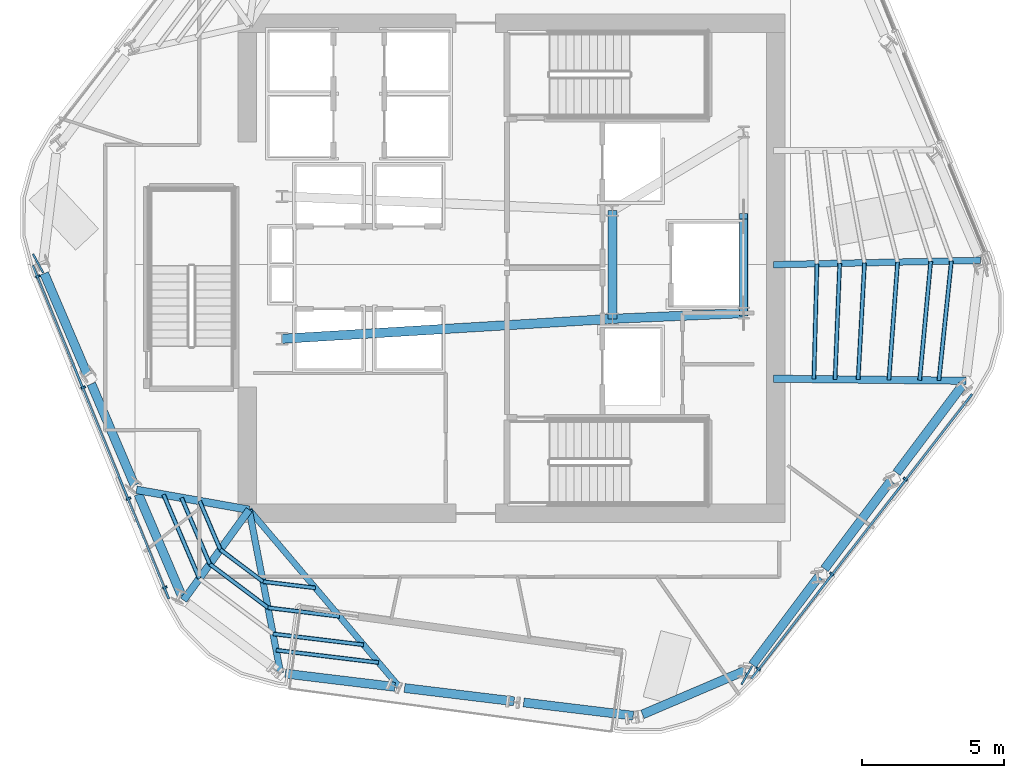
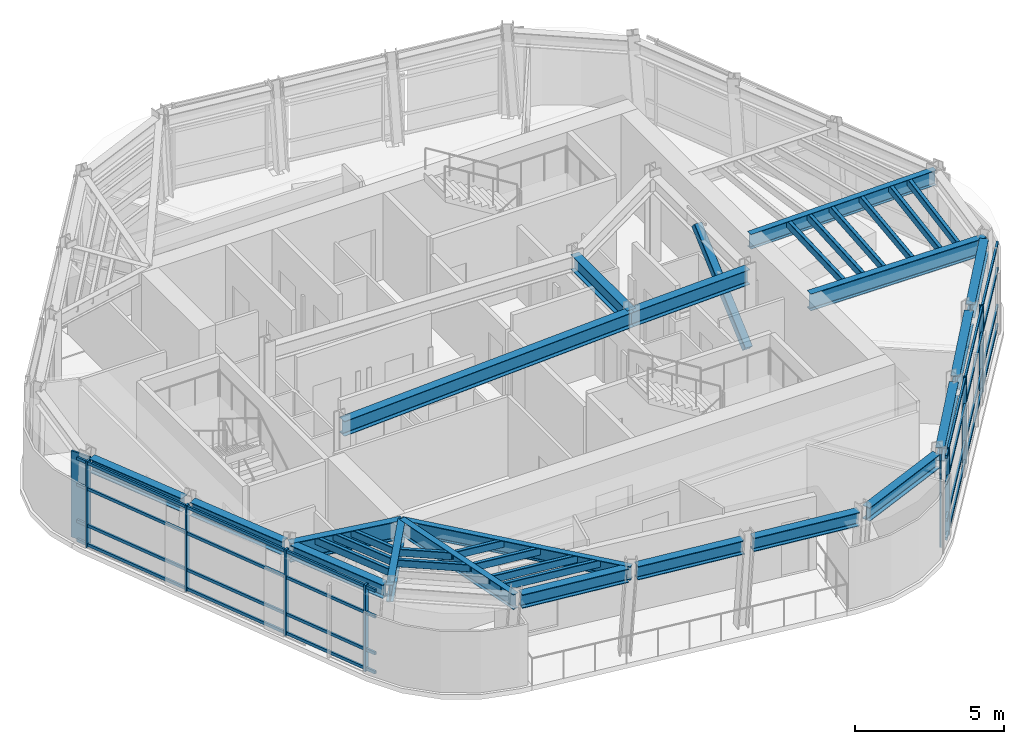
# One storey, part 2 of 12: 33 members, 19 beams, 2 elements without a shape of their own.
"""IFC4 building model written with IfcOpenShell, lengths in metres."""

import ifcopenshell
import ifcopenshell.guid

model = None  # the IFC model being written
_history = None  # IfcOwnerHistory: only IFC2X3 demands one
_inside = {}  # id of a spatial element -> (the spatial element, [elements in it])
_under = {}  # id of a project, library or spatial element -> (it, [spatial elements below it])
_declared = {}  # id of a project -> (the project, [libraries it declares])
_typed = {}  # id of a type object -> (the type object, [elements of that type])
_made_of = {}  # id of a material, layer set ... -> (it, [elements and type objects made of it])


def new_model(schema):
    """Start an empty IFC model of exactly this schema.

    Asked for "IFC4X3", IfcOpenShell would pick the latest addendum, in which some entities
    have other attributes; the version numbers below select the first issue.
    IFC2X3 requires an IfcOwnerHistory on every rooted entity: one is made here for all.
    """
    global model, _history
    if schema == "IFC4X3":
        model = ifcopenshell.file(schema_version=(4, 3, 0, 0))
    else:
        model = ifcopenshell.file(schema=schema)
    _inside.clear()
    _under.clear()
    _declared.clear()
    _typed.clear()
    _made_of.clear()
    _history = None
    if model.schema == "IFC2X3":
        org = make("IfcOrganization", Name="unknown")
        user = make(
            "IfcPersonAndOrganization",
            ThePerson=make("IfcPerson", FamilyName="unknown"),
            TheOrganization=org,
        )
        app = make(
            "IfcApplication",
            ApplicationDeveloper=org,
            Version="unknown",
            ApplicationFullName="unknown",
            ApplicationIdentifier="unknown",
        )
        _history = make(
            "IfcOwnerHistory",
            OwningUser=user,
            OwningApplication=app,
            ChangeAction="ADDED",
            CreationDate=0,
        )
    return model


def make(cls, **values):
    """One entity of the class cls with the attributes given. An attribute that is None is left unset."""
    return model.create_entity(
        cls, **{name: value for name, value in values.items() if value is not None}
    )


def rooted(cls, **values):
    """An entity with a GlobalId (a new one), such as an element, a storey or a relation."""
    return make(cls, GlobalId=ifcopenshell.guid.new(), OwnerHistory=_history, **values)


def si_unit(unit_type, name, prefix=None):
    """IfcSIUnit, for example si_unit("LENGTHUNIT", "METRE", prefix="MILLI")."""
    return make("IfcSIUnit", UnitType=unit_type, Prefix=prefix, Name=name)


def assignment(units):
    """IfcUnitAssignment: the units of a project."""
    return None if units is None else make("IfcUnitAssignment", Units=units)


def point(xyz):
    """IfcCartesianPoint."""
    return None if xyz is None else make("IfcCartesianPoint", Coordinates=xyz)


def direction(xyz):
    """IfcDirection."""
    return None if xyz is None else make("IfcDirection", DirectionRatios=xyz)


def frame(location, z_axis=None, x_axis=None):
    """IfcAxis2Placement3D, a coordinate frame: its origin and axes. An axis left out is left unset."""
    return make(
        "IfcAxis2Placement3D",
        Location=point(location),
        Axis=direction(z_axis),
        RefDirection=direction(x_axis),
    )


def frame_2d(location, x_axis=None):
    """IfcAxis2Placement2D, a coordinate frame in the plane: its origin and x axis."""
    return make(
        "IfcAxis2Placement2D", Location=point(location), RefDirection=direction(x_axis)
    )


def origin():
    """The frame at (0, 0, 0) with its axes left unset."""
    return frame((0.0, 0.0, 0.0))


def origin_2d():
    """The frame at (0, 0) in the plane with its x axis left unset."""
    return frame_2d((0.0, 0.0))


def place(relative_to, where):
    """IfcLocalPlacement: puts the frame where relative to a parent placement (None: the world)."""
    return make(
        "IfcLocalPlacement", PlacementRelTo=relative_to, RelativePlacement=where
    )


def context(
    kind, dimensions, precision=None, world=None, true_north=None, identifier=None
):
    """IfcGeometricRepresentationContext, for example the 3D "Model" context."""
    return make(
        "IfcGeometricRepresentationContext",
        ContextIdentifier=identifier,
        ContextType=kind,
        CoordinateSpaceDimension=dimensions,
        Precision=precision,
        WorldCoordinateSystem=world,
        TrueNorth=true_north,
    )


def subcontext(parent, identifier, kind, view, scale=None):
    """IfcGeometricRepresentationSubContext, for example "Body" below "Model"."""
    return make(
        "IfcGeometricRepresentationSubContext",
        ContextIdentifier=identifier,
        ContextType=kind,
        ParentContext=parent,
        TargetScale=scale,
        TargetView=view,
    )


def project(units=None, contexts=None):
    """IfcProject with its units and contexts."""
    return rooted(
        "IfcProject",
        Name="project",
        RepresentationContexts=contexts,
        UnitsInContext=assignment(units),
    )


def spatial(cls, under=None, at=None, **own):
    """A site, building, storey or space (cls), placed at a placement, below another one or the project."""
    s = rooted(cls, ObjectPlacement=at, **own)
    if under is not None:
        _under.setdefault(under.id(), (under, []))[1].append(s)
    return s


def profile(cls, at=None, kind="AREA", **sizes):
    """A parametric profile (cls). Its sizes go by their IFC names, for example OverallWidth=200.0."""
    return make(cls, ProfileType=kind, Position=at, **sizes)


def rectangle(**sizes):
    """IfcRectangleProfileDef."""
    return profile("IfcRectangleProfileDef", **sizes)


def hollow_rectangle(**sizes):
    """IfcRectangleHollowProfileDef."""
    return profile("IfcRectangleHollowProfileDef", **sizes)


def i_section(**sizes):
    """IfcIShapeProfileDef."""
    return profile("IfcIShapeProfileDef", **sizes)


def extrude(swept, where, along, depth):
    """IfcExtrudedAreaSolid: the profile swept, set in the frame where, extruded along a direction by depth."""
    return make(
        "IfcExtrudedAreaSolid",
        SweptArea=swept,
        Position=where,
        ExtrudedDirection=direction(along),
        Depth=depth,
    )


def shape(context_of_items, identifier, shape_type, items):
    """IfcShapeRepresentation: the items that make up one representation, for example the "Body"."""
    return make(
        "IfcShapeRepresentation",
        ContextOfItems=context_of_items,
        RepresentationIdentifier=identifier,
        RepresentationType=shape_type,
        Items=items,
    )


def material(Name=None, Category=None):
    """IfcMaterial."""
    return make("IfcMaterial", Name=Name, Category=Category)


def layer(
    of_material, thickness, ventilated=None, Name=None, Category=None, Priority=None
):
    """IfcMaterialLayer: one layer of a wall or slab, of a material (None: an air gap)."""
    return make(
        "IfcMaterialLayer",
        Material=of_material,
        LayerThickness=thickness,
        IsVentilated=ventilated,
        Name=Name,
        Category=Category,
        Priority=Priority,
    )


def layer_set(layers, Name=None):
    """IfcMaterialLayerSet."""
    return make("IfcMaterialLayerSet", MaterialLayers=layers, LayerSetName=Name)


def material_profile(
    of_material, cross_section, Name=None, Category=None, Priority=None
):
    """IfcMaterialProfile: a cross section and its material."""
    return make(
        "IfcMaterialProfile",
        Name=Name,
        Material=of_material,
        Profile=cross_section,
        Priority=Priority,
        Category=Category,
    )


def profile_set(profiles, Name=None, composite=None):
    """IfcMaterialProfileSet."""
    return make(
        "IfcMaterialProfileSet",
        Name=Name,
        MaterialProfiles=profiles,
        CompositeProfile=composite,
    )


def made_of(thing, what):
    """Note that an element or type object is made of a material, layer set ...; save() writes the relation."""
    if what is not None:
        _made_of.setdefault(what.id(), (what, []))[1].append(thing)
    return thing


def type_object(cls, material=None, **own):
    """A type object (cls), such as IfcWallType, which elements share."""
    return made_of(rooted(cls, **own), material)


def element(
    cls,
    number,
    at=None,
    inside=None,
    cuts=None,
    type_object=None,
    material=None,
    context=None,
    identifier="Body",
    shape_type=None,
    held_by="IfcProductDefinitionShape",
    body=None,
    shapes=None,
    **own,
):
    """One element of the class cls, such as IfcWall. Its Tag is "e" and its number.

    at: its placement. inside: the storey or other place that contains it. cuts: it is an
    opening in that element (IfcRelVoidsElement). A single representation is given by context,
    identifier, shape_type and body (its items); several are given by shapes. held_by: the class
    of the entity that holds the representations. save() writes the other relations.
    """
    e = rooted(cls, Tag="e%d" % number, ObjectPlacement=at, **own)
    if body is not None:
        shapes = [shape(context, identifier, shape_type, body)]
    if shapes is not None:
        e.Representation = make(held_by, Representations=shapes)
    if inside is not None:
        _inside.setdefault(inside.id(), (inside, []))[1].append(e)
    if cuts is not None:
        rooted(
            "IfcRelVoidsElement", RelatingBuildingElement=cuts, RelatedOpeningElement=e
        )
    if type_object is not None:
        _typed.setdefault(type_object.id(), (type_object, []))[1].append(e)
    return made_of(e, material)


def aggregate(whole, parts):
    """IfcRelAggregates: a whole, such as a stair, and the parts it consists of."""
    return rooted("IfcRelAggregates", RelatingObject=whole, RelatedObjects=parts)


def save(model, path):
    """Write the relations noted so far, then the file.

    IfcRelAggregates (storeys below a building ...), IfcRelContainedInSpatialStructure (elements
    in a storey), IfcRelDefinesByType, IfcRelAssociatesMaterial and IfcRelDeclares: one each for
    every whole, place, type object, material and project.
    """
    for whole, parts in _under.values():
        aggregate(whole, parts)
    for where, things in _inside.values():
        rooted(
            "IfcRelContainedInSpatialStructure",
            RelatedElements=things,
            RelatingStructure=where,
        )
    for kind, things in _typed.values():
        rooted("IfcRelDefinesByType", RelatedObjects=things, RelatingType=kind)
    for what, things in _made_of.values():
        rooted("IfcRelAssociatesMaterial", RelatedObjects=things, RelatingMaterial=what)
    for by, libraries in _declared.values():
        rooted("IfcRelDeclares", RelatingContext=by, RelatedDefinitions=libraries)
    model.write(path)


model = new_model("IFC4")

# Units and contexts
model_context = context("Model", 3, precision=1e-05, world=origin(), true_north=direction((0.0, 1.0)))
body_context = subcontext(model_context, "Body", "Model", "MODEL_VIEW")
ifc_project = project(units=[si_unit("LENGTHUNIT", "METRE"), si_unit("AREAUNIT", "SQUARE_METRE"), si_unit("VOLUMEUNIT", "CUBIC_METRE"), si_unit("PLANEANGLEUNIT", "RADIAN"), si_unit("MASSUNIT", "GRAM", prefix="KILO")], contexts=[model_context])

# Site, building, storey
site_placement = place(None, origin())
site = spatial("IfcSite", under=ifc_project, at=site_placement, CompositionType="ELEMENT")
building_placement = place(site_placement, origin())
building = spatial("IfcBuilding", under=site, at=building_placement, Name="Valkerne Bourse Tower", CompositionType="ELEMENT")
storey_placement = place(building_placement, frame((0.0, 0.0, 247.39990234375)))
storey = spatial("IfcBuildingStorey", under=building, at=storey_placement, Name="L63", CompositionType="ELEMENT", Elevation=247.39990234375)

# Beams
ifc_material_1 = material(Name="Steel ASTM A992", Category="steel")
ifc_material_profile_1 = material_profile(ifc_material_1, i_section(OverallWidth=0.31494140625, OverallDepth=0.5537109375, WebThickness=0.0166015625, FlangeThickness=0.026123046875, FilletRadius=0.020263671875, at=origin_2d()), Name="W21X132")
ifc_profile_set_1 = profile_set([ifc_material_profile_1], Name="Steel ASTM A992")
beam_type_1 = type_object("IfcBeamType", Name="BM-W21X132", PredefinedType="BEAM", material=ifc_profile_set_1)
for number, where, z_axis, x_axis, name in (
    (1, (30.40771484375, 26.69189453125, 3.26318359375), (0.392396720095, -0.919796071996, 0.0), (0.919796071996, 0.392396720095, 0.0), "L63 Hexagonal Spandrel Ring Beam 08"),
    (2, (32.060302734375, 22.817626953125, 3.26318359375), (0.392320616007, -0.919828535248, 0.0), (0.919828535248, 0.392320616007, 0.0), "L63 Hexagonal Spandrel Ring Beam 09"),
    (3, (33.712890625, 18.943359375, 3.26318359375), (0.392320616007, -0.919828535248, 0.0), (0.919828535248, 0.392320616007, 0.0), "L63 Hexagonal Spandrel Ring Beam 10"),
):
    element("IfcBeam", number, at=place(storey_placement, frame(where, z_axis=z_axis, x_axis=x_axis)), inside=storey, type_object=beam_type_1, Name=name, PredefinedType="BEAM", context=body_context, shape_type="SweptSolid", body=[
        extrude(i_section(OverallWidth=0.31494140625, OverallDepth=0.5537109375, WebThickness=0.0166015625, FlangeThickness=0.026123046875, FilletRadius=0.020263671875, at=origin_2d()), origin(), (0.0, 0.0, 1.0), 3.871826171875),
    ])
for number, where, z_axis, x_axis, name in (
    (4, (38.87060546875, 12.64990234375, 3.26318359375), (0.992760006473, -0.120114818186, 0.0), (0.120114818186, 0.992760006473, 0.0), "L63 Hexagonal Spandrel Ring Beam 12"),
    (5, (43.052001953125, 12.143798828125, 3.26318359375), (0.992760006473, -0.120114818186, 0.0), (0.120114818186, 0.992760006473, 0.0), "L63 Hexagonal Spandrel Ring Beam 13"),
):
    element("IfcBeam", number, at=place(storey_placement, frame(where, z_axis=z_axis, x_axis=x_axis)), inside=storey, type_object=beam_type_1, Name=name, PredefinedType="BEAM", context=body_context, shape_type="SweptSolid", body=[
        extrude(i_section(OverallWidth=0.31494140625, OverallDepth=0.5537109375, WebThickness=0.0166015625, FlangeThickness=0.026123046875, FilletRadius=0.020263671875, at=origin_2d()), origin(), (0.0, 0.0, 1.0), 3.8720703125),
    ])
beam_1_placement = place(storey_placement, frame((47.233642578125, 11.637939453125, 3.26318359375), z_axis=(0.992751575177, -0.120184483123, 0.0), x_axis=(0.120184483123, 0.992751575177, 0.0)))
element("IfcBeam", 6, at=beam_1_placement, inside=storey, type_object=beam_type_1, Name="L63 Hexagonal Spandrel Ring Beam 14", PredefinedType="BEAM", context=body_context, shape_type="SweptSolid", body=[
    extrude(i_section(OverallWidth=0.31494140625, OverallDepth=0.5537109375, WebThickness=0.0166015625, FlangeThickness=0.026123046875, FilletRadius=0.020263671875, at=origin_2d()), origin(), (0.0, 0.0, 1.0), 3.871826171875),
])
beam_2_placement = place(storey_placement, frame((51.402587890625, 11.218994140625, 3.26318359375), z_axis=(0.919814471859, 0.392353587162, 0.0), x_axis=(-0.392353587162, 0.919814471859, 0.0)))
element("IfcBeam", 7, at=beam_2_placement, inside=storey, type_object=beam_type_1, Name="L63 Hexagonal Spandrel Ring Beam 15", PredefinedType="BEAM", context=body_context, shape_type="SweptSolid", body=[
    extrude(i_section(OverallWidth=0.31494140625, OverallDepth=0.5537109375, WebThickness=0.0166015625, FlangeThickness=0.026123046875, FilletRadius=0.020263671875, at=origin_2d()), origin(), (0.0, 0.0, 1.0), 3.915771484375),
])
beam_3_placement = place(storey_placement, frame((55.2626953125, 12.9580078125, 3.26318359375), z_axis=(0.600463977054, 0.799651806889, 0.0), x_axis=(-0.799651806889, 0.600463977054, 0.0)))
element("IfcBeam", 8, at=beam_3_placement, inside=storey, type_object=beam_type_1, Name="L63 Hexagonal Spandrel Ring Beam 16", PredefinedType="BEAM", context=body_context, shape_type="SweptSolid", body=[
    extrude(i_section(OverallWidth=0.31494140625, OverallDepth=0.5537109375, WebThickness=0.0166015625, FlangeThickness=0.026123046875, FilletRadius=0.020263671875, at=origin_2d()), origin(), (0.0, 0.0, 1.0), 3.871826171875),
])
for number, where, z_axis, x_axis, name in (
    (9, (57.791748046875, 16.326171875, 3.26318359375), (0.600433701972, 0.799674539757, 0.0), (-0.799674539757, 0.600433701972, 0.0), "L63 Hexagonal Spandrel Ring Beam 17"),
    (10, (60.32080078125, 19.6943359375, 3.26318359375), (0.600363106785, 0.799727541111, 0.0), (-0.799727541111, 0.600363106785, 0.0), "L63 Hexagonal Spandrel Ring Beam 18"),
):
    element("IfcBeam", number, at=place(storey_placement, frame(where, z_axis=z_axis, x_axis=x_axis)), inside=storey, type_object=beam_type_1, Name=name, PredefinedType="BEAM", context=body_context, shape_type="SweptSolid", body=[
        extrude(i_section(OverallWidth=0.31494140625, OverallDepth=0.5537109375, WebThickness=0.0166015625, FlangeThickness=0.026123046875, FilletRadius=0.020263671875, at=origin_2d()), origin(), (0.0, 0.0, 1.0), 3.8720703125),
    ])
ifc_material_profile_2 = material_profile(ifc_material_1, i_section(OverallWidth=0.2138671875, OverallDepth=0.548583984375, WebThickness=0.0146484375, FlangeThickness=0.023681640625, FilletRadius=0.017822265625, at=origin_2d()), Name="W21X93")
ifc_profile_set_2 = profile_set([ifc_material_profile_2], Name="Steel ASTM A992")
beam_type_2 = type_object("IfcBeamType", Name="BM-W21X93", PredefinedType="BEAM", material=ifc_profile_set_2)
beam_4_placement = place(storey_placement, frame((42.88330078125, 12.164306640625, 3.265869140625), z_axis=(-0.646436234936, 0.762968016474, 0.0), x_axis=(-0.762968016474, -0.646436234936, 0.0)))
element("IfcBeam", 11, at=beam_4_placement, inside=storey, type_object=beam_type_2, Name="L63 Radial Composite Floor Beam 13", PredefinedType="BEAM", context=body_context, shape_type="SweptSolid", body=[
    extrude(i_section(OverallWidth=0.2138671875, OverallDepth=0.548583984375, WebThickness=0.0146484375, FlangeThickness=0.023681640625, FilletRadius=0.017822265625, at=origin_2d()), origin(), (0.0, 0.0, 1.0), 8.1728515625),
])
ifc_material_profile_3 = material_profile(ifc_material_1, i_section(OverallWidth=0.3251953125, OverallDepth=0.612060546875, WebThickness=0.0126953125, FlangeThickness=0.01904296875, FilletRadius=0.020263671875, at=origin_2d()), Name="W24X104")
ifc_profile_set_3 = profile_set([ifc_material_profile_3], Name="Steel ASTM A992")
beam_type_3 = type_object("IfcBeamType", Name="BM-W24X104", PredefinedType="BEAM", material=ifc_profile_set_3)
beam_5_placement = place(storey_placement, frame((50.35009765625, 25.10009765625, 3.23388671875), z_axis=(0.0, 1.0, 0.0), x_axis=(-1.0, 0.0, 0.0)))
element("IfcBeam", 12, at=beam_5_placement, inside=storey, type_object=beam_type_3, Name="L63 Core Frame Girder CG-CE", PredefinedType="BEAM", context=body_context, shape_type="SweptSolid", body=[
    extrude(i_section(OverallWidth=0.3251953125, OverallDepth=0.612060546875, WebThickness=0.0126953125, FlangeThickness=0.01904296875, FilletRadius=0.020263671875, at=origin_2d()), origin(), (0.0, 0.0, 1.0), 3.7998046875),
])
beam_6_placement = place(storey_placement, frame((50.35009765625, 25.10009765625, 3.23388671875), z_axis=(0.999056558506, 0.043428019819, 0.0), x_axis=(-0.043428019819, 0.999056558506, 0.0)))
element("IfcBeam", 13, at=beam_6_placement, inside=storey, type_object=beam_type_3, Name="L63 Core Frame Girder CG-SE", PredefinedType="BEAM", context=body_context, shape_type="SweptSolid", body=[
    extrude(i_section(OverallWidth=0.3251953125, OverallDepth=0.612060546875, WebThickness=0.0126953125, FlangeThickness=0.01904296875, FilletRadius=0.020263671875, at=origin_2d()), origin(), (0.0, 0.0, 1.0), 4.604248046875),
])
beam_7_placement = place(storey_placement, frame((38.75, 24.39990234375, 3.23388671875), z_axis=(0.998183228389, 0.060251494276, 0.0), x_axis=(-0.060251494276, 0.998183228389, 0.0)))
element("IfcBeam", 14, at=beam_7_placement, inside=storey, type_object=beam_type_3, Name="L63 Core Frame Girder CG-SW", PredefinedType="BEAM", context=body_context, shape_type="SweptSolid", body=[
    extrude(i_section(OverallWidth=0.3251953125, OverallDepth=0.612060546875, WebThickness=0.0126953125, FlangeThickness=0.01904296875, FilletRadius=0.020263671875, at=origin_2d()), origin(), (0.0, 0.0, 1.0), 11.62109375),
])
ifc_material_profile_4 = material_profile(ifc_material_1, i_section(OverallWidth=0.228271484375, OverallDepth=0.607177734375, WebThickness=0.01123046875, FlangeThickness=0.017333984375, FilletRadius=0.017822265625, at=origin_2d()), Name="W24X76")
ifc_profile_set_4 = profile_set([ifc_material_profile_4], Name="Steel ASTM A992")
beam_type_4 = type_object("IfcBeamType", Name="BM-W24X76", PredefinedType="JOIST", material=ifc_profile_set_4)
beam_8_placement = place(storey_placement, frame((38.701904296875, 12.67041015625, 3.236572265625), z_axis=(-0.188844289634, 0.982007043902, 0.0), x_axis=(-0.982007043902, -0.188844289634, 0.0)))
element("IfcBeam", 15, at=beam_8_placement, inside=storey, type_object=beam_type_4, Name="L63 Radial Composite Floor Beam 12", PredefinedType="JOIST", context=body_context, shape_type="SweptSolid", body=[
    extrude(i_section(OverallWidth=0.228271484375, OverallDepth=0.607177734375, WebThickness=0.01123046875, FlangeThickness=0.017333984375, FilletRadius=0.017822265625, at=origin_2d()), origin(), (0.0, 0.0, 1.0), 5.83447265625),
])
beam_9_placement = place(storey_placement, frame((63.2587890625, 27.151611328125, 3.236572265625), z_axis=(-0.999781946587, -0.020882032451, 0.0), x_axis=(0.020882032451, -0.999781946587, 0.0)))
element("IfcBeam", 16, at=beam_9_placement, inside=storey, type_object=beam_type_4, Name="L63 Radial Composite Floor Beam 20", PredefinedType="JOIST", context=body_context, shape_type="SweptSolid", body=[
    extrude(i_section(OverallWidth=0.228271484375, OverallDepth=0.607177734375, WebThickness=0.01123046875, FlangeThickness=0.017333984375, FilletRadius=0.017822265625, at=origin_2d()), origin(), (0.0, 0.0, 1.0), 7.26025390625),
])
ifc_material_profile_5 = material_profile(ifc_material_1, i_section(OverallWidth=0.255859375, OverallDepth=0.693359375, WebThickness=0.014404296875, FlangeThickness=0.023681640625, FilletRadius=0.02294921875, at=origin_2d()), Name="W27X114")
ifc_profile_set_5 = profile_set([ifc_material_profile_5], Name="Steel ASTM A992")
beam_type_5 = type_object("IfcBeamType", Name="BM-W27X114", PredefinedType="BEAM", material=ifc_profile_set_5)
beam_10_placement = place(storey_placement, frame((35.298583984375, 15.2255859375, 3.193359375), z_axis=(0.586990018948, 0.809594168491, 0.0), x_axis=(-0.809594168491, 0.586990018948, 0.0)))
element("IfcBeam", 17, at=beam_10_placement, inside=storey, type_object=beam_type_5, Name="L63 Radial Composite Floor Beam 11", PredefinedType="BEAM", context=body_context, shape_type="SweptSolid", body=[
    extrude(i_section(OverallWidth=0.255859375, OverallDepth=0.693359375, WebThickness=0.014404296875, FlangeThickness=0.023681640625, FilletRadius=0.02294921875, at=origin_2d()), origin(), (0.0, 0.0, 1.0), 3.9208984375),
])
beam_11_placement = place(storey_placement, frame((62.747802734375, 22.9267578125, 3.193359375), z_axis=(-0.999941098075, 0.010853588387, 0.0), x_axis=(-0.010853588387, -0.999941098075, 0.0)))
element("IfcBeam", 18, at=beam_11_placement, inside=storey, type_object=beam_type_5, Name="L63 Radial Composite Floor Beam 19", PredefinedType="BEAM", context=body_context, shape_type="SweptSolid", body=[
    extrude(i_section(OverallWidth=0.255859375, OverallDepth=0.693359375, WebThickness=0.014404296875, FlangeThickness=0.023681640625, FilletRadius=0.02294921875, at=origin_2d()), origin(), (0.0, 0.0, 1.0), 6.748291015625),
])
ifc_material_profile_6 = material_profile(ifc_material_1, i_section(OverallWidth=0.26806640625, OverallDepth=0.76953125, WebThickness=0.015625, FlangeThickness=0.025390625, FilletRadius=0.025390625, at=origin_2d()), Name="W30X132")
ifc_profile_set_6 = profile_set([ifc_material_profile_6], Name="Steel ASTM A992")
beam_type_6 = type_object("IfcBeamType", Name="BM-W30X132", PredefinedType="BEAM", material=ifc_profile_set_6)
beam_12_placement = place(storey_placement, frame((33.64599609375, 19.099853515625, 3.1552734375), z_axis=(0.984690997817, -0.174309032523, 0.0), x_axis=(0.174309032523, 0.984690997817, 0.0)))
element("IfcBeam", 19, at=beam_12_placement, inside=storey, type_object=beam_type_6, Name="L63 Radial Composite Floor Beam 10", PredefinedType="BEAM", context=body_context, shape_type="SweptSolid", body=[
    extrude(i_section(OverallWidth=0.26806640625, OverallDepth=0.76953125, WebThickness=0.015625, FlangeThickness=0.025390625, FilletRadius=0.025390625, at=origin_2d()), origin(), (0.0, 0.0, 1.0), 4.015625),
])

# Curtain wall, members
ifc_material_2 = material(Name="Aluminium AA 6063-T6", Category="aluminium")
ifc_layer = layer(ifc_material_2, 0.239990234375)
ifc_layer_set = layer_set([ifc_layer], Name="Aluminium AA 6063-T6")
curtain_wall_type = type_object("IfcCurtainWallType", Name="CW-04", PredefinedType="NOTDEFINED", material=ifc_layer_set)
curtain_wall_1_placement = place(storey_placement, origin())
curtain_wall_1 = element("IfcCurtainWall", 20, at=curtain_wall_1_placement, inside=storey, type_object=curtain_wall_type, Name="L63 Hexagonal Stick Curtain Wall Face 3", PredefinedType="NOTDEFINED")
ifc_material_profile_7 = material_profile(ifc_material_2, rectangle(XDim=0.074951171875, YDim=0.159912109375, at=origin_2d()), Name="CWM-75X160")
ifc_profile_set_7 = profile_set([ifc_material_profile_7], Name="Aluminium AA 6063-T6")
member_type_1 = type_object("IfcMemberType", Name="CW-MUL-160X75", PredefinedType="MULLION", material=ifc_profile_set_7)
member_1_placement = place(storey_placement, frame((30.1845703125, 26.589599609375, 0.0), z_axis=(0.0, 0.0, 1.0), x_axis=(0.377853386726, -0.925865442783, 0.0)))
member_1 = element("IfcMember", 21, at=member_1_placement, type_object=member_type_1, Name="CW-L63-F3 Jamb Mullion 00A", PredefinedType="MULLION", context=body_context, shape_type="SweptSolid", body=[
    extrude(rectangle(XDim=0.074951171875, YDim=0.159912109375, at=origin_2d()), origin(), (0.0, 0.0, 1.0), 3.5400390625),
])
member_2_placement = place(storey_placement, frame((31.776123046875, 22.68994140625, 0.0), z_axis=(0.0, 0.0, 1.0), x_axis=(0.377845080973, -0.925868832387, 0.0)))
member_2 = element("IfcMember", 22, at=member_2_placement, type_object=member_type_1, Name="CW-L63-F3 Jamb Mullion 01A", PredefinedType="MULLION", context=body_context, shape_type="SweptSolid", body=[
    extrude(rectangle(XDim=0.074951171875, YDim=0.159912109375, at=origin_2d()), origin(), (0.0, 0.0, 1.0), 3.5400390625),
])
member_3_placement = place(storey_placement, frame((33.36767578125, 18.7900390625, 0.0), z_axis=(0.0, 0.0, 1.0), x_axis=(0.377824728737, -0.925877137829, 0.0)))
member_3 = element("IfcMember", 23, at=member_3_placement, type_object=member_type_1, Name="CW-L63-F3 Jamb Mullion 02A", PredefinedType="MULLION", context=body_context, shape_type="SweptSolid", body=[
    extrude(rectangle(XDim=0.074951171875, YDim=0.159912109375, at=origin_2d()), origin(), (0.0, 0.0, 1.0), 3.5400390625),
])
member_4_placement = place(storey_placement, frame((34.6416015625, 15.66796875, 0.0), z_axis=(0.0, 0.0, 1.0), x_axis=(0.377824728737, -0.925877137829, 0.0)))
member_4 = element("IfcMember", 24, at=member_4_placement, type_object=member_type_1, Name="CW-L63-F3 Jamb Mullion 02B", PredefinedType="MULLION", context=body_context, shape_type="SweptSolid", body=[
    extrude(rectangle(XDim=0.074951171875, YDim=0.159912109375, at=origin_2d()), origin(), (0.0, 0.0, 1.0), 3.5400390625),
])

curtain_wall_2_placement = place(storey_placement, origin())
curtain_wall_2 = element("IfcCurtainWall", 25, at=curtain_wall_2_placement, inside=storey, type_object=curtain_wall_type, Name="L63 Hexagonal Stick Curtain Wall Face 5", PredefinedType="NOTDEFINED")
member_5_placement = place(storey_placement, frame((55.463134765625, 12.81591796875, 0.0), z_axis=(0.0, 0.0, 1.0), x_axis=(0.612916098506, 0.790147996385, 0.0)))
member_5 = element("IfcMember", 26, at=member_5_placement, type_object=member_type_1, Name="CW-L63-F5 Jamb Mullion 00A", PredefinedType="MULLION", context=body_context, shape_type="SweptSolid", body=[
    extrude(rectangle(XDim=0.074951171875, YDim=0.159912109375, at=origin_2d()), origin(), (0.0, 0.0, 1.0), 3.5400390625),
])
member_6_placement = place(storey_placement, frame((58.044677734375, 16.14404296875, 0.0), z_axis=(0.0, 0.0, 1.0), x_axis=(0.612901275427, 0.790159494394, 0.0)))
member_6 = element("IfcMember", 27, at=member_6_placement, type_object=member_type_1, Name="CW-L63-F5 Jamb Mullion 01A", PredefinedType="MULLION", context=body_context, shape_type="SweptSolid", body=[
    extrude(rectangle(XDim=0.074951171875, YDim=0.159912109375, at=origin_2d()), origin(), (0.0, 0.0, 1.0), 3.5400390625),
])
member_7_placement = place(storey_placement, frame((60.626220703125, 19.47216796875, 0.0), z_axis=(0.0, 0.0, 1.0), x_axis=(0.612904600679, 0.790156915091, 0.0)))
member_7 = element("IfcMember", 28, at=member_7_placement, type_object=member_type_1, Name="CW-L63-F5 Jamb Mullion 02A", PredefinedType="MULLION", context=body_context, shape_type="SweptSolid", body=[
    extrude(rectangle(XDim=0.074951171875, YDim=0.159912109375, at=origin_2d()), origin(), (0.0, 0.0, 1.0), 3.5400390625),
])

# Member
ifc_material_profile_8 = material_profile(ifc_material_2, rectangle(XDim=0.074951171875, YDim=0.1201171875, at=origin_2d()), Name="CWT-75X120")
ifc_profile_set_8 = profile_set([ifc_material_profile_8], Name="Aluminium AA 6063-T6")
member_type_2 = type_object("IfcMemberType", Name="CW-TRN-120X75", PredefinedType="USERDEFINED", material=ifc_profile_set_8)
member_8_placement = place(storey_placement, frame((30.00732421875, 26.970947265625, 0.1201171875), z_axis=(0.377837509837, -0.925871922115, 0.0), x_axis=(0.925871922115, 0.377837509837, 0.0)))
member_8 = element("IfcMember", 29, at=member_8_placement, type_object=member_type_2, Name="CW-L63-F3 Continuous Face Transom 1", ObjectType="TRANSOM", PredefinedType="USERDEFINED", context=body_context, shape_type="SweptSolid", body=[
    extrude(rectangle(XDim=0.074951171875, YDim=0.1201171875, at=origin_2d()), origin(), (0.0, 0.0, 1.0), 12.63623046875),
])

member_9_placement = place(storey_placement, frame((30.00732421875, 26.970947265625, 0.900146484375), z_axis=(0.377837509837, -0.925871922115, 0.0), x_axis=(0.925871922115, 0.377837509837, 0.0)))
member_9 = element("IfcMember", 30, at=member_9_placement, type_object=member_type_2, Name="CW-L63-F3 Continuous Face Transom 2", ObjectType="TRANSOM", PredefinedType="USERDEFINED", context=body_context, shape_type="SweptSolid", body=[
    extrude(rectangle(XDim=0.074951171875, YDim=0.1201171875, at=origin_2d()), origin(), (0.0, 0.0, 1.0), 12.63623046875),
])

member_10_placement = place(storey_placement, frame((30.00732421875, 26.970947265625, 2.400146484375), z_axis=(0.377837509837, -0.925871922115, 0.0), x_axis=(0.925871922115, 0.377837509837, 0.0)))
member_10 = element("IfcMember", 31, at=member_10_placement, type_object=member_type_2, Name="CW-L63-F3 Continuous Face Transom 3", ObjectType="TRANSOM", PredefinedType="USERDEFINED", context=body_context, shape_type="SweptSolid", body=[
    extrude(rectangle(XDim=0.074951171875, YDim=0.1201171875, at=origin_2d()), origin(), (0.0, 0.0, 1.0), 12.63623046875),
])

member_11_placement = place(storey_placement, frame((30.00732421875, 26.970947265625, 3.460205078125), z_axis=(0.377837509837, -0.925871922115, 0.0), x_axis=(0.925871922115, 0.377837509837, 0.0)))
member_11 = element("IfcMember", 32, at=member_11_placement, type_object=member_type_2, Name="CW-L63-F3 Continuous Face Transom 4", ObjectType="TRANSOM", PredefinedType="USERDEFINED", context=body_context, shape_type="SweptSolid", body=[
    extrude(rectangle(XDim=0.074951171875, YDim=0.1201171875, at=origin_2d()), origin(), (0.0, 0.0, 1.0), 12.63623046875),
])

aggregate(curtain_wall_1, [member_8, member_9, member_10, member_11, member_1, member_2, member_3, member_4])

member_12_placement = place(storey_placement, frame((55.221435546875, 12.4716796875, 0.1201171875), z_axis=(0.61290747629, 0.790154684545, 0.0), x_axis=(-0.790154684545, 0.61290747629, 0.0)))
member_12 = element("IfcMember", 33, at=member_12_placement, type_object=member_type_2, Name="CW-L63-F5 Continuous Face Transom 1", ObjectType="TRANSOM", PredefinedType="USERDEFINED", context=body_context, shape_type="SweptSolid", body=[
    extrude(rectangle(XDim=0.074951171875, YDim=0.1201171875, at=origin_2d()), origin(), (0.0, 0.0, 1.0), 12.63623046875),
])

member_13_placement = place(storey_placement, frame((55.221435546875, 12.4716796875, 0.900146484375), z_axis=(0.61290747629, 0.790154684545, 0.0), x_axis=(-0.790154684545, 0.61290747629, 0.0)))
member_13 = element("IfcMember", 34, at=member_13_placement, type_object=member_type_2, Name="CW-L63-F5 Continuous Face Transom 2", ObjectType="TRANSOM", PredefinedType="USERDEFINED", context=body_context, shape_type="SweptSolid", body=[
    extrude(rectangle(XDim=0.074951171875, YDim=0.1201171875, at=origin_2d()), origin(), (0.0, 0.0, 1.0), 12.63623046875),
])

member_14_placement = place(storey_placement, frame((55.221435546875, 12.4716796875, 2.400146484375), z_axis=(0.61290747629, 0.790154684545, 0.0), x_axis=(-0.790154684545, 0.61290747629, 0.0)))
member_14 = element("IfcMember", 35, at=member_14_placement, type_object=member_type_2, Name="CW-L63-F5 Continuous Face Transom 3", ObjectType="TRANSOM", PredefinedType="USERDEFINED", context=body_context, shape_type="SweptSolid", body=[
    extrude(rectangle(XDim=0.074951171875, YDim=0.1201171875, at=origin_2d()), origin(), (0.0, 0.0, 1.0), 12.63623046875),
])

member_15_placement = place(storey_placement, frame((55.221435546875, 12.4716796875, 3.460205078125), z_axis=(0.61290747629, 0.790154684545, 0.0), x_axis=(-0.790154684545, 0.61290747629, 0.0)))
member_15 = element("IfcMember", 36, at=member_15_placement, type_object=member_type_2, Name="CW-L63-F5 Continuous Face Transom 4", ObjectType="TRANSOM", PredefinedType="USERDEFINED", context=body_context, shape_type="SweptSolid", body=[
    extrude(rectangle(XDim=0.074951171875, YDim=0.1201171875, at=origin_2d()), origin(), (0.0, 0.0, 1.0), 12.63623046875),
])

aggregate(curtain_wall_2, [member_12, member_13, member_14, member_15, member_5, member_6, member_7])

# Members
ifc_material_3 = material(Name="Bronze Anodised Aluminium AA 6063-T6", Category="aluminium")
ifc_material_profile_9 = material_profile(ifc_material_3, rectangle(XDim=0.06494140625, YDim=0.75, at=origin_2d()), Name="FIN-65X750")
ifc_profile_set_9 = profile_set([ifc_material_profile_9], Name="Bronze Anodised Aluminium AA 6063-T6")
member_type_3 = type_object("IfcMemberType", Name="FIN-SOLAR-650", PredefinedType="USERDEFINED", material=ifc_profile_set_9)
for number, where, z_axis, x_axis, name in (
    (37, (30.192626953125, 27.04638671875, 0.004150390625), (0.0, 0.0, 1.0), (-0.878888591018, -0.477027089983, 0.0), "L63 Bronze Anodised Solar Fin F3-00"),
    (38, (55.0634765625, 12.59423828125, 0.004150390625), (0.0, 0.0, 1.0), (0.865027079596, -0.501725175336, 0.0), "L63 Bronze Anodised Solar Fin F5-00"),
):
    element("IfcMember", number, at=place(storey_placement, frame(where, z_axis=z_axis, x_axis=x_axis)), inside=storey, type_object=member_type_3, Name=name, ObjectType="SOLAR_FIN", PredefinedType="USERDEFINED", context=body_context, shape_type="SweptSolid", body=[
        extrude(rectangle(XDim=0.06494140625, YDim=0.75, at=origin_2d()), origin(), (0.0, 0.0, 1.0), 3.531982421875),
    ])
ifc_material_4 = material(Name="Steel ASTM A500 Grade C", Category="steel")
ifc_material_profile_10 = material_profile(ifc_material_4, hollow_rectangle(XDim=0.14990234375, YDim=0.300048828125, WallThickness=0.012451171875, OuterFilletRadius=0.02490234375, at=origin_2d()), Name="HSS300X150X12.5")
ifc_profile_set_10 = profile_set([ifc_material_profile_10], Name="Steel ASTM A500 Grade C")
member_type_4 = type_object("IfcMemberType", Name="MBR-HSS300X150X12.5", PredefinedType="PURLIN", material=ifc_profile_set_10)
member_16_placement = place(storey_placement, frame((58.1591796875, 22.9765625, 3.380126953125), z_axis=(0.040137902769, 0.999194149683, 0.0), x_axis=(-0.999194149683, 0.040137902769, 0.0)))
element("IfcMember", 39, at=member_16_placement, inside=storey, type_object=member_type_4, Name="L63 Secondary Composite Floor Purlin I-19", PredefinedType="PURLIN", context=body_context, shape_type="SweptSolid", body=[
    extrude(hollow_rectangle(XDim=0.14990234375, YDim=0.300048828125, WallThickness=0.012451171875, OuterFilletRadius=0.02490234375, at=origin_2d()), origin(), (0.0, 0.0, 1.0), 4.0751953125),
])
member_17_placement = place(storey_placement, frame((35.8603515625, 18.7080078125, 3.380126953125), z_axis=(0.392281178201, -0.919845355062, 0.0), x_axis=(0.919845355062, 0.392281178201, 0.0)))
element("IfcMember", 40, at=member_17_placement, inside=storey, type_object=member_type_4, Name="L63 Secondary Composite Floor Purlin K-10", PredefinedType="PURLIN", context=body_context, shape_type="SweptSolid", body=[
    extrude(hollow_rectangle(XDim=0.14990234375, YDim=0.300048828125, WallThickness=0.012451171875, OuterFilletRadius=0.02490234375, at=origin_2d()), origin(), (0.0, 0.0, 1.0), 1.853271484375),
])
member_18_placement = place(storey_placement, frame((36.58740234375, 17.003173828125, 3.380126953125), z_axis=(0.799671301583, -0.60043801464, 0.0), x_axis=(0.60043801464, 0.799671301583, 0.0)))
element("IfcMember", 41, at=member_18_placement, inside=storey, type_object=member_type_4, Name="L63 Secondary Composite Floor Purlin K-11", PredefinedType="PURLIN", context=body_context, shape_type="SweptSolid", body=[
    extrude(hollow_rectangle(XDim=0.14990234375, YDim=0.300048828125, WallThickness=0.012451171875, OuterFilletRadius=0.02490234375, at=origin_2d()), origin(), (0.0, 0.0, 1.0), 1.872314453125),
])
member_19_placement = place(storey_placement, frame((38.084716796875, 15.87890625, 3.380126953125), z_axis=(0.992758554936, -0.120126814661, 0.0), x_axis=(0.120126814661, 0.992758554936, 0.0)))
element("IfcMember", 42, at=member_19_placement, inside=storey, type_object=member_type_4, Name="L63 Secondary Composite Floor Purlin K-12", PredefinedType="PURLIN", context=body_context, shape_type="SweptSolid", body=[
    extrude(hollow_rectangle(XDim=0.14990234375, YDim=0.300048828125, WallThickness=0.012451171875, OuterFilletRadius=0.02490234375, at=origin_2d()), origin(), (0.0, 0.0, 1.0), 1.853515625),
])
member_20_placement = place(storey_placement, frame((58.968994140625, 22.9677734375, 3.380126953125), z_axis=(0.054774991014, 0.998498723264, 0.0), x_axis=(-0.998498723264, 0.054774991014, 0.0)))
element("IfcMember", 43, at=member_20_placement, inside=storey, type_object=member_type_4, Name="L63 Secondary Composite Floor Purlin K-19", PredefinedType="PURLIN", context=body_context, shape_type="SweptSolid", body=[
    extrude(hollow_rectangle(XDim=0.14990234375, YDim=0.300048828125, WallThickness=0.012451171875, OuterFilletRadius=0.02490234375, at=origin_2d()), origin(), (0.0, 0.0, 1.0), 4.10498046875),
])
member_21_placement = place(storey_placement, frame((34.594970703125, 18.931884765625, 3.380126953125), z_axis=(0.392372445791, -0.919806427344, 0.0), x_axis=(0.919806427344, 0.392372445791, 0.0)))
element("IfcMember", 44, at=member_21_placement, inside=storey, type_object=member_type_4, Name="L63 Secondary Composite Floor Purlin O-10", PredefinedType="PURLIN", context=body_context, shape_type="SweptSolid", body=[
    extrude(hollow_rectangle(XDim=0.14990234375, YDim=0.300048828125, WallThickness=0.012451171875, OuterFilletRadius=0.02490234375, at=origin_2d()), origin(), (0.0, 0.0, 1.0), 3.201416015625),
])
member_22_placement = place(storey_placement, frame((38.4375, 14.04541015625, 3.380126953125), z_axis=(0.992758334082, -0.120128639842, 0.0), x_axis=(0.120128639842, 0.992758334082, 0.0)))
element("IfcMember", 45, at=member_22_placement, inside=storey, type_object=member_type_4, Name="L63 Secondary Composite Floor Purlin O-12", PredefinedType="PURLIN", context=body_context, shape_type="SweptSolid", body=[
    extrude(hollow_rectangle(XDim=0.14990234375, YDim=0.300048828125, WallThickness=0.012451171875, OuterFilletRadius=0.02490234375, at=origin_2d()), origin(), (0.0, 0.0, 1.0), 3.200927734375),
])
member_23_placement = place(storey_placement, frame((61.12841796875, 22.9443359375, 3.380126953125), z_axis=(0.092726838708, 0.995691585474, 0.0), x_axis=(-0.995691585474, 0.092726838708, 0.0)))
element("IfcMember", 46, at=member_23_placement, inside=storey, type_object=member_type_4, Name="L63 Secondary Composite Floor Purlin O-19", PredefinedType="PURLIN", context=body_context, shape_type="SweptSolid", body=[
    extrude(hollow_rectangle(XDim=0.14990234375, YDim=0.300048828125, WallThickness=0.012451171875, OuterFilletRadius=0.02490234375, at=origin_2d()), origin(), (0.0, 0.0, 1.0), 4.18896484375),
])
member_24_placement = place(storey_placement, frame((35.227783203125, 18.81982421875, 3.380126953125), z_axis=(0.392332976736, -0.919823263114, 0.0), x_axis=(0.919823263114, 0.392332976736, 0.0)))
element("IfcMember", 47, at=member_24_placement, inside=storey, type_object=member_type_4, Name="L63 Secondary Composite Floor Purlin Z-10", PredefinedType="PURLIN", context=body_context, shape_type="SweptSolid", body=[
    extrude(hollow_rectangle(XDim=0.14990234375, YDim=0.300048828125, WallThickness=0.012451171875, OuterFilletRadius=0.02490234375, at=origin_2d()), origin(), (0.0, 0.0, 1.0), 2.527099609375),
])
member_25_placement = place(storey_placement, frame((36.21923828125, 16.495361328125, 3.380126953125), z_axis=(0.799644164542, -0.600474154409, 0.0), x_axis=(0.600474154409, 0.799644164542, 0.0)))
element("IfcMember", 48, at=member_25_placement, inside=storey, type_object=member_type_4, Name="L63 Secondary Composite Floor Purlin Z-11", PredefinedType="PURLIN", context=body_context, shape_type="SweptSolid", body=[
    extrude(hollow_rectangle(XDim=0.14990234375, YDim=0.300048828125, WallThickness=0.012451171875, OuterFilletRadius=0.02490234375, at=origin_2d()), origin(), (0.0, 0.0, 1.0), 2.55322265625),
])
member_26_placement = place(storey_placement, frame((38.260986328125, 14.962158203125, 3.380126953125), z_axis=(0.99276487085, -0.120074606837, 0.0), x_axis=(0.120074606837, 0.99276487085, 0.0)))
element("IfcMember", 49, at=member_26_placement, inside=storey, type_object=member_type_4, Name="L63 Secondary Composite Floor Purlin Z-12", PredefinedType="PURLIN", context=body_context, shape_type="SweptSolid", body=[
    extrude(hollow_rectangle(XDim=0.14990234375, YDim=0.300048828125, WallThickness=0.012451171875, OuterFilletRadius=0.02490234375, at=origin_2d()), origin(), (0.0, 0.0, 1.0), 2.52734375),
])
member_27_placement = place(storey_placement, frame((60.048583984375, 22.9560546875, 3.380126953125), z_axis=(0.073954102114, 0.997261646099, 0.0), x_axis=(-0.997261646099, 0.073954102114, 0.0)))
element("IfcMember", 50, at=member_27_placement, inside=storey, type_object=member_type_4, Name="L63 Secondary Composite Floor Purlin Z-19", PredefinedType="PURLIN", context=body_context, shape_type="SweptSolid", body=[
    extrude(hollow_rectangle(XDim=0.14990234375, YDim=0.300048828125, WallThickness=0.012451171875, OuterFilletRadius=0.02490234375, at=origin_2d()), origin(), (0.0, 0.0, 1.0), 4.146484375),
])
member_28_placement = place(storey_placement, frame((57.4169921875, 22.984619140625, 3.380126953125), z_axis=(0.026533455233, 0.999647925899, 0.0), x_axis=(-0.999647925899, 0.026533455233, 0.0)))
element("IfcMember", 51, at=member_28_placement, inside=storey, type_object=member_type_4, Name="L63 Secondary Composite Floor Purlin S-19", PredefinedType="PURLIN", context=body_context, shape_type="SweptSolid", body=[
    extrude(hollow_rectangle(XDim=0.14990234375, YDim=0.300048828125, WallThickness=0.012451171875, OuterFilletRadius=0.02490234375, at=origin_2d()), origin(), (0.0, 0.0, 1.0), 4.048583984375),
])
member_29_placement = place(storey_placement, frame((38.547607421875, 13.472412109375, 3.380126953125), z_axis=(0.992760596053, -0.120109945154, 0.0), x_axis=(0.120109945154, 0.992760596053, 0.0)))
element("IfcMember", 52, at=member_29_placement, inside=storey, type_object=member_type_4, Name="L63 Secondary Composite Floor Purlin T-12", PredefinedType="PURLIN", context=body_context, shape_type="SweptSolid", body=[
    extrude(hollow_rectangle(XDim=0.14990234375, YDim=0.300048828125, WallThickness=0.012451171875, OuterFilletRadius=0.02490234375, at=origin_2d()), origin(), (0.0, 0.0, 1.0), 3.6220703125),
])
member_30_placement = place(storey_placement, frame((61.802978515625, 22.93701171875, 3.380126953125), z_axis=(0.104283894613, 0.994547570167, 0.0), x_axis=(-0.994547570167, 0.104283894613, 0.0)))
element("IfcMember", 53, at=member_30_placement, inside=storey, type_object=member_type_4, Name="L63 Secondary Composite Floor Purlin T-19", PredefinedType="PURLIN", context=body_context, shape_type="SweptSolid", body=[
    extrude(hollow_rectangle(XDim=0.14990234375, YDim=0.300048828125, WallThickness=0.012451171875, OuterFilletRadius=0.02490234375, at=origin_2d()), origin(), (0.0, 0.0, 1.0), 4.21630859375),
])
ifc_material_profile_11 = material_profile(ifc_material_4, hollow_rectangle(XDim=0.300048828125, YDim=0.300048828125, WallThickness=0.012451171875, OuterFilletRadius=0.02490234375, at=origin_2d()), Name="HSS300X300X12.5")
ifc_profile_set_11 = profile_set([ifc_material_profile_11], Name="Steel ASTM A500 Grade C")
member_type_5 = type_object("IfcMemberType", Name="MBR-HSS300X300X12.5", PredefinedType="STRUT", material=ifc_profile_set_11)
member_31_placement = place(storey_placement, frame((54.949951171875, 25.300048828125, 0.22021484375), z_axis=(0.0, 0.748333602119, 0.663322561006), x_axis=(-1.0, 0.0, 0.0)))
element("IfcMember", 54, at=member_31_placement, inside=storey, type_object=member_type_5, Name="L63 Core Service Pier Lateral Brace", PredefinedType="STRUT", context=body_context, shape_type="SweptSolid", body=[
    extrude(hollow_rectangle(XDim=0.300048828125, YDim=0.300048828125, WallThickness=0.012451171875, OuterFilletRadius=0.02490234375, at=origin_2d()), origin(), (0.0, 0.0, 1.0), 4.543212890625),
])

save(model, "model.ifc")
